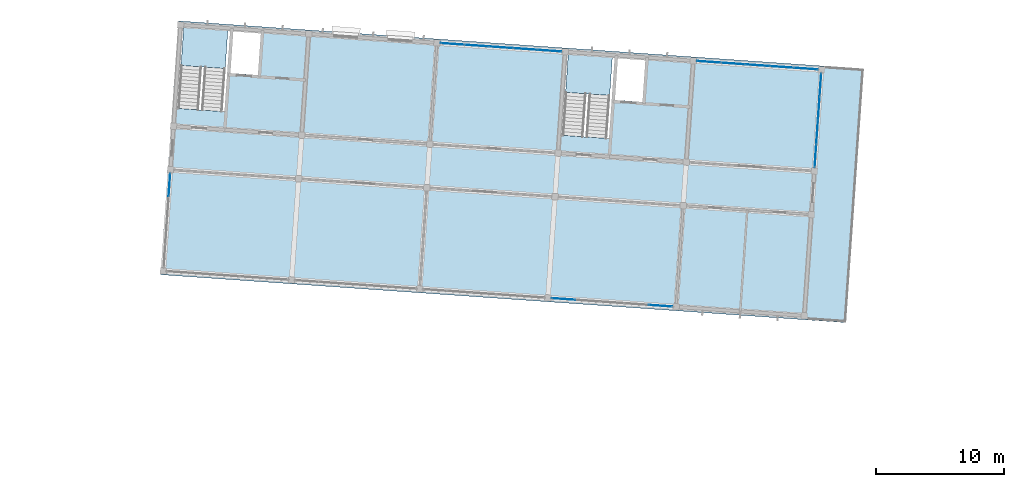
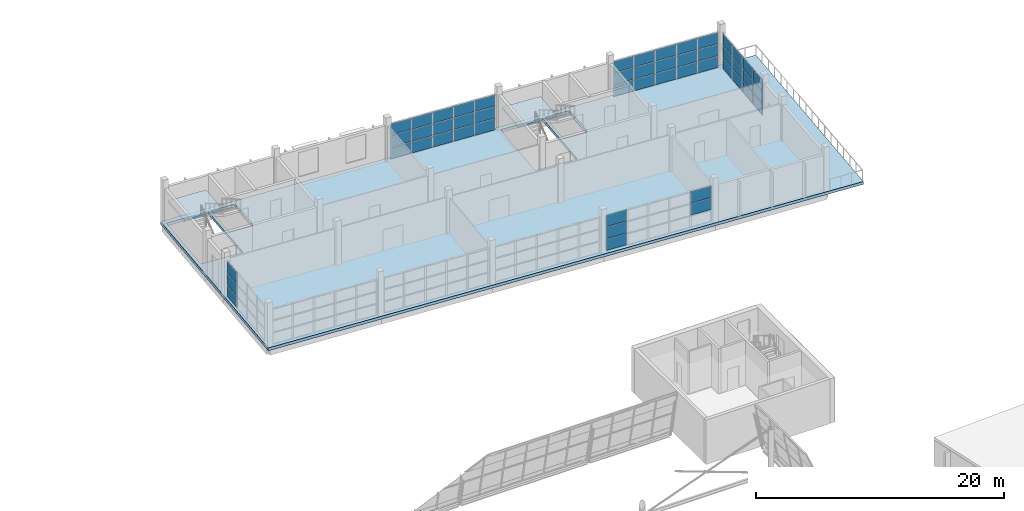
# One storey, part 28 of 50: 50 plates, 3 slabs, 7 elements without a shape of their own.
"""IFC4 building model written with IfcOpenShell, lengths in metres."""

from ifc_helpers import new_model, si_unit, direction, frame, origin, origin_2d, place, context, subcontext, project, spatial, polyline, rectangle, outline, extrude, material, layer, layer_set, type_object, element, aggregate, save


model = new_model("IFC4")

# Units and contexts
model_context = context("Model", 3, precision=1e-05, world=origin(), true_north=direction((0.0, 1.0)))
body_context = subcontext(model_context, "Body", "Model", "MODEL_VIEW")
ifc_project = project(units=[si_unit("LENGTHUNIT", "METRE"), si_unit("AREAUNIT", "SQUARE_METRE"), si_unit("VOLUMEUNIT", "CUBIC_METRE"), si_unit("PLANEANGLEUNIT", "RADIAN"), si_unit("MASSUNIT", "GRAM", prefix="KILO")], contexts=[model_context])

# Site, building, storey
site_placement = place(None, origin())
site = spatial("IfcSite", under=ifc_project, at=site_placement, CompositionType="ELEMENT")
building_placement = place(site_placement, origin())
building = spatial("IfcBuilding", under=site, at=building_placement, Name="Windward Yard Aquatics Centre", CompositionType="ELEMENT")
storey_placement = place(building_placement, frame((0.0, 0.0, 18.199951171875)))
storey = spatial("IfcBuildingStorey", under=building, at=storey_placement, Name="L04", CompositionType="ELEMENT", Elevation=18.199951171875)

# Curtain wall, plates
ifc_material_1 = material(Name="Aluminium curtain wall system", Category="aluminium")
curtain_wall_type = type_object("IfcCurtainWallType", Name="W curtain wall 1900", PredefinedType="NOTDEFINED", material=ifc_material_1)
curtain_wall_1_placement = place(storey_placement, origin())
curtain_wall_1 = element("IfcCurtainWall", 1, at=curtain_wall_1_placement, inside=storey, type_object=curtain_wall_type, Name="Wing south glazing L04 4", PredefinedType="NOTDEFINED")
ifc_material_2 = material(Name="Double glazed unit")
ifc_layer_1 = layer(ifc_material_2, 0.028076171875)
ifc_layer_set_1 = layer_set([ifc_layer_1], Name="W CW panel IGU 28")
plate_type = type_object("IfcPlateType", Name="W CW panel IGU 28", PredefinedType="CURTAIN_PANEL", material=ifc_layer_set_1)
plate_1_placement = place(storey_placement, frame((148.977783203125, 113.989990234375, 0.06005859375), z_axis=(0.0, 0.0, 1.0), x_axis=(0.997563921423, -0.06975831617, 0.0)))
plate_1 = element("IfcPlate", 2, at=plate_1_placement, type_object=plate_type, Name="WCW1 panel 1.1", PredefinedType="CURTAIN_PANEL", context=body_context, shape_type="SweptSolid", body=[
    extrude(rectangle(XDim=1.81005859375, YDim=0.028076171875, at=origin_2d()), origin(), (0.0, 0.0, 1.0), 1.10009765625),
])
plate_2_placement = place(storey_placement, frame((148.977783203125, 113.989990234375, 1.22021484375), z_axis=(0.0, 0.0, 1.0), x_axis=(0.997563921423, -0.06975831617, 0.0)))
plate_2 = element("IfcPlate", 3, at=plate_2_placement, type_object=plate_type, Name="WCW1 panel 1.2", PredefinedType="CURTAIN_PANEL", context=body_context, shape_type="SweptSolid", body=[
    extrude(rectangle(XDim=1.81005859375, YDim=0.028076171875, at=origin_2d()), origin(), (0.0, 0.0, 1.0), 1.1298828125),
])
plate_3_placement = place(storey_placement, frame((148.977783203125, 113.989990234375, 2.409912109375), z_axis=(0.0, 0.0, 1.0), x_axis=(0.997563921423, -0.06975831617, 0.0)))
plate_3 = element("IfcPlate", 4, at=plate_3_placement, type_object=plate_type, Name="WCW1 panel 1.3", PredefinedType="CURTAIN_PANEL", context=body_context, shape_type="SweptSolid", body=[
    extrude(rectangle(XDim=1.81005859375, YDim=0.028076171875, at=origin_2d()), origin(), (0.0, 0.0, 1.0), 1.10009765625),
])
plate_4_placement = place(storey_placement, frame((156.529296875, 113.4619140625, 1.22021484375), z_axis=(0.0, 0.0, 1.0), x_axis=(0.997563921423, -0.06975831617, 0.0)))
plate_4 = element("IfcPlate", 5, at=plate_4_placement, type_object=plate_type, Name="WCW1 panel 5.2", PredefinedType="CURTAIN_PANEL", context=body_context, shape_type="SweptSolid", body=[
    extrude(rectangle(XDim=1.81005859375, YDim=0.028076171875, at=origin_2d()), origin(), (0.0, 0.0, 1.0), 1.1298828125),
])
plate_5_placement = place(storey_placement, frame((156.529296875, 113.4619140625, 2.409912109375), z_axis=(0.0, 0.0, 1.0), x_axis=(0.997563921423, -0.06975831617, 0.0)))
plate_5 = element("IfcPlate", 6, at=plate_5_placement, type_object=plate_type, Name="WCW1 panel 5.3", PredefinedType="CURTAIN_PANEL", context=body_context, shape_type="SweptSolid", body=[
    extrude(rectangle(XDim=1.81005859375, YDim=0.028076171875, at=origin_2d()), origin(), (0.0, 0.0, 1.0), 1.10009765625),
])
aggregate(curtain_wall_1, [plate_1, plate_2, plate_3, plate_4, plate_5])

curtain_wall_2_placement = place(storey_placement, origin())
curtain_wall_2 = element("IfcCurtainWall", 7, at=curtain_wall_2_placement, inside=storey, type_object=curtain_wall_type, Name="Wing north glazing L04 1", PredefinedType="NOTDEFINED")
plate_6_placement = place(storey_placement, frame((140.341552734375, 133.8408203125, 0.06005859375), z_axis=(0.0, 0.0, 1.0), x_axis=(0.997563921423, -0.06975831617, 0.0)))
plate_6 = element("IfcPlate", 8, at=plate_6_placement, type_object=plate_type, Name="WCW1 panel 1.1", PredefinedType="CURTAIN_PANEL", context=body_context, shape_type="SweptSolid", body=[
    extrude(rectangle(XDim=1.81005859375, YDim=0.028076171875, at=origin_2d()), origin(), (0.0, 0.0, 1.0), 1.10009765625),
])
plate_7_placement = place(storey_placement, frame((140.341552734375, 133.8408203125, 1.22021484375), z_axis=(0.0, 0.0, 1.0), x_axis=(0.997563921423, -0.06975831617, 0.0)))
plate_7 = element("IfcPlate", 9, at=plate_7_placement, type_object=plate_type, Name="WCW1 panel 1.2", PredefinedType="CURTAIN_PANEL", context=body_context, shape_type="SweptSolid", body=[
    extrude(rectangle(XDim=1.81005859375, YDim=0.028076171875, at=origin_2d()), origin(), (0.0, 0.0, 1.0), 1.1298828125),
])
plate_8_placement = place(storey_placement, frame((140.341552734375, 133.8408203125, 2.409912109375), z_axis=(0.0, 0.0, 1.0), x_axis=(0.997563921423, -0.06975831617, 0.0)))
plate_8 = element("IfcPlate", 10, at=plate_8_placement, type_object=plate_type, Name="WCW1 panel 1.3", PredefinedType="CURTAIN_PANEL", context=body_context, shape_type="SweptSolid", body=[
    extrude(rectangle(XDim=1.81005859375, YDim=0.028076171875, at=origin_2d()), origin(), (0.0, 0.0, 1.0), 1.10009765625),
])
plate_9_placement = place(storey_placement, frame((142.221923828125, 133.70947265625, 0.06005859375), z_axis=(0.0, 0.0, 1.0), x_axis=(0.997563921423, -0.06975831617, 0.0)))
plate_9 = element("IfcPlate", 11, at=plate_9_placement, type_object=plate_type, Name="WCW1 panel 2.1", PredefinedType="CURTAIN_PANEL", context=body_context, shape_type="SweptSolid", body=[
    extrude(rectangle(XDim=1.840087890625, YDim=0.028076171875, at=origin_2d()), origin(), (0.0, 0.0, 1.0), 1.10009765625),
])
plate_10_placement = place(storey_placement, frame((142.221923828125, 133.70947265625, 1.22021484375), z_axis=(0.0, 0.0, 1.0), x_axis=(0.997563921423, -0.06975831617, 0.0)))
plate_10 = element("IfcPlate", 12, at=plate_10_placement, type_object=plate_type, Name="WCW1 panel 2.2", PredefinedType="CURTAIN_PANEL", context=body_context, shape_type="SweptSolid", body=[
    extrude(rectangle(XDim=1.840087890625, YDim=0.028076171875, at=origin_2d()), origin(), (0.0, 0.0, 1.0), 1.1298828125),
])
plate_11_placement = place(storey_placement, frame((142.221923828125, 133.70947265625, 2.409912109375), z_axis=(0.0, 0.0, 1.0), x_axis=(0.997563921423, -0.06975831617, 0.0)))
plate_11 = element("IfcPlate", 13, at=plate_11_placement, type_object=plate_type, Name="WCW1 panel 2.3", PredefinedType="CURTAIN_PANEL", context=body_context, shape_type="SweptSolid", body=[
    extrude(rectangle(XDim=1.840087890625, YDim=0.028076171875, at=origin_2d()), origin(), (0.0, 0.0, 1.0), 1.10009765625),
])
plate_12_placement = place(storey_placement, frame((144.1171875, 133.576904296875, 0.06005859375), z_axis=(0.0, 0.0, 1.0), x_axis=(0.997563921423, -0.06975831617, 0.0)))
plate_12 = element("IfcPlate", 14, at=plate_12_placement, type_object=plate_type, Name="WCW1 panel 3.1", PredefinedType="CURTAIN_PANEL", context=body_context, shape_type="SweptSolid", body=[
    extrude(rectangle(XDim=1.840087890625, YDim=0.028076171875, at=origin_2d()), origin(), (0.0, 0.0, 1.0), 1.10009765625),
])
plate_13_placement = place(storey_placement, frame((144.1171875, 133.576904296875, 1.22021484375), z_axis=(0.0, 0.0, 1.0), x_axis=(0.997563921423, -0.06975831617, 0.0)))
plate_13 = element("IfcPlate", 15, at=plate_13_placement, type_object=plate_type, Name="WCW1 panel 3.2", PredefinedType="CURTAIN_PANEL", context=body_context, shape_type="SweptSolid", body=[
    extrude(rectangle(XDim=1.840087890625, YDim=0.028076171875, at=origin_2d()), origin(), (0.0, 0.0, 1.0), 1.1298828125),
])
plate_14_placement = place(storey_placement, frame((144.1171875, 133.576904296875, 2.409912109375), z_axis=(0.0, 0.0, 1.0), x_axis=(0.997563921423, -0.06975831617, 0.0)))
plate_14 = element("IfcPlate", 16, at=plate_14_placement, type_object=plate_type, Name="WCW1 panel 3.3", PredefinedType="CURTAIN_PANEL", context=body_context, shape_type="SweptSolid", body=[
    extrude(rectangle(XDim=1.840087890625, YDim=0.028076171875, at=origin_2d()), origin(), (0.0, 0.0, 1.0), 1.10009765625),
])
plate_15_placement = place(storey_placement, frame((146.0126953125, 133.4443359375, 0.06005859375), z_axis=(0.0, 0.0, 1.0), x_axis=(0.997563921423, -0.06975831617, 0.0)))
plate_15 = element("IfcPlate", 17, at=plate_15_placement, type_object=plate_type, Name="WCW1 panel 4.1", PredefinedType="CURTAIN_PANEL", context=body_context, shape_type="SweptSolid", body=[
    extrude(rectangle(XDim=1.840087890625, YDim=0.028076171875, at=origin_2d()), origin(), (0.0, 0.0, 1.0), 1.10009765625),
])
plate_16_placement = place(storey_placement, frame((146.0126953125, 133.4443359375, 1.22021484375), z_axis=(0.0, 0.0, 1.0), x_axis=(0.997563921423, -0.06975831617, 0.0)))
plate_16 = element("IfcPlate", 18, at=plate_16_placement, type_object=plate_type, Name="WCW1 panel 4.2", PredefinedType="CURTAIN_PANEL", context=body_context, shape_type="SweptSolid", body=[
    extrude(rectangle(XDim=1.840087890625, YDim=0.028076171875, at=origin_2d()), origin(), (0.0, 0.0, 1.0), 1.1298828125),
])
plate_17_placement = place(storey_placement, frame((146.0126953125, 133.4443359375, 2.409912109375), z_axis=(0.0, 0.0, 1.0), x_axis=(0.997563921423, -0.06975831617, 0.0)))
plate_17 = element("IfcPlate", 19, at=plate_17_placement, type_object=plate_type, Name="WCW1 panel 4.3", PredefinedType="CURTAIN_PANEL", context=body_context, shape_type="SweptSolid", body=[
    extrude(rectangle(XDim=1.840087890625, YDim=0.028076171875, at=origin_2d()), origin(), (0.0, 0.0, 1.0), 1.10009765625),
])
plate_18_placement = place(storey_placement, frame((147.89306640625, 133.312744140625, 0.06005859375), z_axis=(0.0, 0.0, 1.0), x_axis=(0.997563921423, -0.06975831617, 0.0)))
plate_18 = element("IfcPlate", 20, at=plate_18_placement, type_object=plate_type, Name="WCW1 panel 5.1", PredefinedType="CURTAIN_PANEL", context=body_context, shape_type="SweptSolid", body=[
    extrude(rectangle(XDim=1.81005859375, YDim=0.028076171875, at=origin_2d()), origin(), (0.0, 0.0, 1.0), 1.10009765625),
])
plate_19_placement = place(storey_placement, frame((147.89306640625, 133.312744140625, 1.22021484375), z_axis=(0.0, 0.0, 1.0), x_axis=(0.997563921423, -0.06975831617, 0.0)))
plate_19 = element("IfcPlate", 21, at=plate_19_placement, type_object=plate_type, Name="WCW1 panel 5.2", PredefinedType="CURTAIN_PANEL", context=body_context, shape_type="SweptSolid", body=[
    extrude(rectangle(XDim=1.81005859375, YDim=0.028076171875, at=origin_2d()), origin(), (0.0, 0.0, 1.0), 1.1298828125),
])
plate_20_placement = place(storey_placement, frame((147.89306640625, 133.312744140625, 2.409912109375), z_axis=(0.0, 0.0, 1.0), x_axis=(0.997563921423, -0.06975831617, 0.0)))
plate_20 = element("IfcPlate", 22, at=plate_20_placement, type_object=plate_type, Name="WCW1 panel 5.3", PredefinedType="CURTAIN_PANEL", context=body_context, shape_type="SweptSolid", body=[
    extrude(rectangle(XDim=1.81005859375, YDim=0.028076171875, at=origin_2d()), origin(), (0.0, 0.0, 1.0), 1.10009765625),
])
aggregate(curtain_wall_2, [plate_6, plate_7, plate_8, plate_9, plate_10, plate_11, plate_12, plate_13, plate_14, plate_15, plate_16, plate_17, plate_18, plate_19, plate_20])

curtain_wall_3_placement = place(storey_placement, origin())
curtain_wall_3 = element("IfcCurtainWall", 23, at=curtain_wall_3_placement, inside=storey, type_object=curtain_wall_type, Name="Wing north glazing L04 2", PredefinedType="NOTDEFINED")
plate_21_placement = place(storey_placement, frame((160.292724609375, 132.44580078125, 0.06005859375), z_axis=(0.0, 0.0, 1.0), x_axis=(0.997563972646, -0.069757583664, 0.0)))
plate_21 = element("IfcPlate", 24, at=plate_21_placement, type_object=plate_type, Name="WCW1 panel 1.1", PredefinedType="CURTAIN_PANEL", context=body_context, shape_type="SweptSolid", body=[
    extrude(rectangle(XDim=1.81005859375, YDim=0.028076171875, at=origin_2d()), origin(), (0.0, 0.0, 1.0), 1.10009765625),
])
plate_22_placement = place(storey_placement, frame((160.292724609375, 132.44580078125, 1.22021484375), z_axis=(0.0, 0.0, 1.0), x_axis=(0.997563972646, -0.069757583664, 0.0)))
plate_22 = element("IfcPlate", 25, at=plate_22_placement, type_object=plate_type, Name="WCW1 panel 1.2", PredefinedType="CURTAIN_PANEL", context=body_context, shape_type="SweptSolid", body=[
    extrude(rectangle(XDim=1.81005859375, YDim=0.028076171875, at=origin_2d()), origin(), (0.0, 0.0, 1.0), 1.1298828125),
])
plate_23_placement = place(storey_placement, frame((160.292724609375, 132.44580078125, 2.409912109375), z_axis=(0.0, 0.0, 1.0), x_axis=(0.997563972646, -0.069757583664, 0.0)))
plate_23 = element("IfcPlate", 26, at=plate_23_placement, type_object=plate_type, Name="WCW1 panel 1.3", PredefinedType="CURTAIN_PANEL", context=body_context, shape_type="SweptSolid", body=[
    extrude(rectangle(XDim=1.81005859375, YDim=0.028076171875, at=origin_2d()), origin(), (0.0, 0.0, 1.0), 1.10009765625),
])
plate_24_placement = place(storey_placement, frame((162.173095703125, 132.314208984375, 0.06005859375), z_axis=(0.0, 0.0, 1.0), x_axis=(0.997563972646, -0.069757583664, 0.0)))
plate_24 = element("IfcPlate", 27, at=plate_24_placement, type_object=plate_type, Name="WCW1 panel 2.1", PredefinedType="CURTAIN_PANEL", context=body_context, shape_type="SweptSolid", body=[
    extrude(rectangle(XDim=1.840087890625, YDim=0.028076171875, at=origin_2d()), origin(), (0.0, 0.0, 1.0), 1.10009765625),
])
plate_25_placement = place(storey_placement, frame((162.173095703125, 132.314208984375, 1.22021484375), z_axis=(0.0, 0.0, 1.0), x_axis=(0.997563972646, -0.069757583664, 0.0)))
plate_25 = element("IfcPlate", 28, at=plate_25_placement, type_object=plate_type, Name="WCW1 panel 2.2", PredefinedType="CURTAIN_PANEL", context=body_context, shape_type="SweptSolid", body=[
    extrude(rectangle(XDim=1.840087890625, YDim=0.028076171875, at=origin_2d()), origin(), (0.0, 0.0, 1.0), 1.1298828125),
])
plate_26_placement = place(storey_placement, frame((162.173095703125, 132.314208984375, 2.409912109375), z_axis=(0.0, 0.0, 1.0), x_axis=(0.997563972646, -0.069757583664, 0.0)))
plate_26 = element("IfcPlate", 29, at=plate_26_placement, type_object=plate_type, Name="WCW1 panel 2.3", PredefinedType="CURTAIN_PANEL", context=body_context, shape_type="SweptSolid", body=[
    extrude(rectangle(XDim=1.840087890625, YDim=0.028076171875, at=origin_2d()), origin(), (0.0, 0.0, 1.0), 1.10009765625),
])
plate_27_placement = place(storey_placement, frame((164.068603515625, 132.181640625, 0.06005859375), z_axis=(0.0, 0.0, 1.0), x_axis=(0.997563972646, -0.069757583664, 0.0)))
plate_27 = element("IfcPlate", 30, at=plate_27_placement, type_object=plate_type, Name="WCW1 panel 3.1", PredefinedType="CURTAIN_PANEL", context=body_context, shape_type="SweptSolid", body=[
    extrude(rectangle(XDim=1.840087890625, YDim=0.028076171875, at=origin_2d()), origin(), (0.0, 0.0, 1.0), 1.10009765625),
])
plate_28_placement = place(storey_placement, frame((164.068603515625, 132.181640625, 1.22021484375), z_axis=(0.0, 0.0, 1.0), x_axis=(0.997563972646, -0.069757583664, 0.0)))
plate_28 = element("IfcPlate", 31, at=plate_28_placement, type_object=plate_type, Name="WCW1 panel 3.2", PredefinedType="CURTAIN_PANEL", context=body_context, shape_type="SweptSolid", body=[
    extrude(rectangle(XDim=1.840087890625, YDim=0.028076171875, at=origin_2d()), origin(), (0.0, 0.0, 1.0), 1.1298828125),
])
plate_29_placement = place(storey_placement, frame((164.068603515625, 132.181640625, 2.409912109375), z_axis=(0.0, 0.0, 1.0), x_axis=(0.997563972646, -0.069757583664, 0.0)))
plate_29 = element("IfcPlate", 32, at=plate_29_placement, type_object=plate_type, Name="WCW1 panel 3.3", PredefinedType="CURTAIN_PANEL", context=body_context, shape_type="SweptSolid", body=[
    extrude(rectangle(XDim=1.840087890625, YDim=0.028076171875, at=origin_2d()), origin(), (0.0, 0.0, 1.0), 1.10009765625),
])
plate_30_placement = place(storey_placement, frame((165.9638671875, 132.04931640625, 0.06005859375), z_axis=(0.0, 0.0, 1.0), x_axis=(0.997563972646, -0.069757583664, 0.0)))
plate_30 = element("IfcPlate", 33, at=plate_30_placement, type_object=plate_type, Name="WCW1 panel 4.1", PredefinedType="CURTAIN_PANEL", context=body_context, shape_type="SweptSolid", body=[
    extrude(rectangle(XDim=1.840087890625, YDim=0.028076171875, at=origin_2d()), origin(), (0.0, 0.0, 1.0), 1.10009765625),
])
plate_31_placement = place(storey_placement, frame((165.9638671875, 132.04931640625, 1.22021484375), z_axis=(0.0, 0.0, 1.0), x_axis=(0.997563972646, -0.069757583664, 0.0)))
plate_31 = element("IfcPlate", 34, at=plate_31_placement, type_object=plate_type, Name="WCW1 panel 4.2", PredefinedType="CURTAIN_PANEL", context=body_context, shape_type="SweptSolid", body=[
    extrude(rectangle(XDim=1.840087890625, YDim=0.028076171875, at=origin_2d()), origin(), (0.0, 0.0, 1.0), 1.1298828125),
])
plate_32_placement = place(storey_placement, frame((165.9638671875, 132.04931640625, 2.409912109375), z_axis=(0.0, 0.0, 1.0), x_axis=(0.997563972646, -0.069757583664, 0.0)))
plate_32 = element("IfcPlate", 35, at=plate_32_placement, type_object=plate_type, Name="WCW1 panel 4.3", PredefinedType="CURTAIN_PANEL", context=body_context, shape_type="SweptSolid", body=[
    extrude(rectangle(XDim=1.840087890625, YDim=0.028076171875, at=origin_2d()), origin(), (0.0, 0.0, 1.0), 1.10009765625),
])
plate_33_placement = place(storey_placement, frame((167.84423828125, 131.917724609375, 0.06005859375), z_axis=(0.0, 0.0, 1.0), x_axis=(0.997563972646, -0.069757583664, 0.0)))
plate_33 = element("IfcPlate", 36, at=plate_33_placement, type_object=plate_type, Name="WCW1 panel 5.1", PredefinedType="CURTAIN_PANEL", context=body_context, shape_type="SweptSolid", body=[
    extrude(rectangle(XDim=1.81005859375, YDim=0.028076171875, at=origin_2d()), origin(), (0.0, 0.0, 1.0), 1.10009765625),
])
plate_34_placement = place(storey_placement, frame((167.84423828125, 131.917724609375, 1.22021484375), z_axis=(0.0, 0.0, 1.0), x_axis=(0.997563972646, -0.069757583664, 0.0)))
plate_34 = element("IfcPlate", 37, at=plate_34_placement, type_object=plate_type, Name="WCW1 panel 5.2", PredefinedType="CURTAIN_PANEL", context=body_context, shape_type="SweptSolid", body=[
    extrude(rectangle(XDim=1.81005859375, YDim=0.028076171875, at=origin_2d()), origin(), (0.0, 0.0, 1.0), 1.1298828125),
])
plate_35_placement = place(storey_placement, frame((167.84423828125, 131.917724609375, 2.409912109375), z_axis=(0.0, 0.0, 1.0), x_axis=(0.997563972646, -0.069757583664, 0.0)))
plate_35 = element("IfcPlate", 38, at=plate_35_placement, type_object=plate_type, Name="WCW1 panel 5.3", PredefinedType="CURTAIN_PANEL", context=body_context, shape_type="SweptSolid", body=[
    extrude(rectangle(XDim=1.81005859375, YDim=0.028076171875, at=origin_2d()), origin(), (0.0, 0.0, 1.0), 1.10009765625),
])
aggregate(curtain_wall_3, [plate_21, plate_22, plate_23, plate_24, plate_25, plate_26, plate_27, plate_28, plate_29, plate_30, plate_31, plate_32, plate_33, plate_34, plate_35])

curtain_wall_4_placement = place(storey_placement, origin())
curtain_wall_4 = element("IfcCurtainWall", 39, at=curtain_wall_4_placement, inside=storey, type_object=curtain_wall_type, Name="Wing west glazing L04 1", PredefinedType="NOTDEFINED")
plate_36_placement = place(storey_placement, frame((118.306884765625, 122.861083984375, 0.06005859375), z_axis=(0.0, 0.0, 1.0), x_axis=(0.06975651062, 0.997564047681, 0.0)))
plate_36 = element("IfcPlate", 40, at=plate_36_placement, type_object=plate_type, Name="WCW1 panel 4.1", PredefinedType="CURTAIN_PANEL", context=body_context, shape_type="SweptSolid", body=[
    extrude(rectangle(XDim=1.760009765625, YDim=0.028076171875, at=origin_2d()), origin(), (0.0, 0.0, 1.0), 1.10009765625),
])
plate_37_placement = place(storey_placement, frame((118.306884765625, 122.861083984375, 1.22021484375), z_axis=(0.0, 0.0, 1.0), x_axis=(0.06975651062, 0.997564047681, 0.0)))
plate_37 = element("IfcPlate", 41, at=plate_37_placement, type_object=plate_type, Name="WCW1 panel 4.2", PredefinedType="CURTAIN_PANEL", context=body_context, shape_type="SweptSolid", body=[
    extrude(rectangle(XDim=1.760009765625, YDim=0.028076171875, at=origin_2d()), origin(), (0.0, 0.0, 1.0), 1.1298828125),
])
plate_38_placement = place(storey_placement, frame((118.306884765625, 122.861083984375, 2.409912109375), z_axis=(0.0, 0.0, 1.0), x_axis=(0.06975651062, 0.997564047681, 0.0)))
plate_38 = element("IfcPlate", 42, at=plate_38_placement, type_object=plate_type, Name="WCW1 panel 4.3", PredefinedType="CURTAIN_PANEL", context=body_context, shape_type="SweptSolid", body=[
    extrude(rectangle(XDim=1.760009765625, YDim=0.028076171875, at=origin_2d()), origin(), (0.0, 0.0, 1.0), 1.10009765625),
])
aggregate(curtain_wall_4, [plate_36, plate_37, plate_38])

curtain_wall_5_placement = place(storey_placement, origin())
curtain_wall_5 = element("IfcCurtainWall", 43, at=curtain_wall_5_placement, inside=storey, type_object=curtain_wall_type, Name="Wing east glazing L04 1", PredefinedType="NOTDEFINED")
plate_39_placement = place(storey_placement, frame((168.58837890625, 125.139404296875, 0.06005859375), z_axis=(0.0, 0.0, 1.0), x_axis=(0.069757450994, 0.997563981923, 0.0)))
plate_39 = element("IfcPlate", 44, at=plate_39_placement, type_object=plate_type, Name="WCW1 panel 1.1", PredefinedType="CURTAIN_PANEL", context=body_context, shape_type="SweptSolid", body=[
    extrude(rectangle(XDim=1.760009765625, YDim=0.028076171875, at=origin_2d()), origin(), (0.0, 0.0, 1.0), 1.10009765625),
])
plate_40_placement = place(storey_placement, frame((168.58837890625, 125.139404296875, 1.22021484375), z_axis=(0.0, 0.0, 1.0), x_axis=(0.069757450994, 0.997563981923, 0.0)))
plate_40 = element("IfcPlate", 45, at=plate_40_placement, type_object=plate_type, Name="WCW1 panel 1.2", PredefinedType="CURTAIN_PANEL", context=body_context, shape_type="SweptSolid", body=[
    extrude(rectangle(XDim=1.760009765625, YDim=0.028076171875, at=origin_2d()), origin(), (0.0, 0.0, 1.0), 1.1298828125),
])
plate_41_placement = place(storey_placement, frame((168.58837890625, 125.139404296875, 2.409912109375), z_axis=(0.0, 0.0, 1.0), x_axis=(0.069757450994, 0.997563981923, 0.0)))
plate_41 = element("IfcPlate", 46, at=plate_41_placement, type_object=plate_type, Name="WCW1 panel 1.3", PredefinedType="CURTAIN_PANEL", context=body_context, shape_type="SweptSolid", body=[
    extrude(rectangle(XDim=1.760009765625, YDim=0.028076171875, at=origin_2d()), origin(), (0.0, 0.0, 1.0), 1.10009765625),
])
plate_42_placement = place(storey_placement, frame((168.71630859375, 126.9697265625, 0.06005859375), z_axis=(0.0, 0.0, 1.0), x_axis=(0.069757450994, 0.997563981923, 0.0)))
plate_42 = element("IfcPlate", 47, at=plate_42_placement, type_object=plate_type, Name="WCW1 panel 2.1", PredefinedType="CURTAIN_PANEL", context=body_context, shape_type="SweptSolid", body=[
    extrude(rectangle(XDim=1.7900390625, YDim=0.028076171875, at=origin_2d()), origin(), (0.0, 0.0, 1.0), 1.10009765625),
])
plate_43_placement = place(storey_placement, frame((168.71630859375, 126.9697265625, 1.22021484375), z_axis=(0.0, 0.0, 1.0), x_axis=(0.069757450994, 0.997563981923, 0.0)))
plate_43 = element("IfcPlate", 48, at=plate_43_placement, type_object=plate_type, Name="WCW1 panel 2.2", PredefinedType="CURTAIN_PANEL", context=body_context, shape_type="SweptSolid", body=[
    extrude(rectangle(XDim=1.7900390625, YDim=0.028076171875, at=origin_2d()), origin(), (0.0, 0.0, 1.0), 1.1298828125),
])
plate_44_placement = place(storey_placement, frame((168.71630859375, 126.9697265625, 2.409912109375), z_axis=(0.0, 0.0, 1.0), x_axis=(0.069757450994, 0.997563981923, 0.0)))
plate_44 = element("IfcPlate", 49, at=plate_44_placement, type_object=plate_type, Name="WCW1 panel 2.3", PredefinedType="CURTAIN_PANEL", context=body_context, shape_type="SweptSolid", body=[
    extrude(rectangle(XDim=1.7900390625, YDim=0.028076171875, at=origin_2d()), origin(), (0.0, 0.0, 1.0), 1.10009765625),
])
plate_45_placement = place(storey_placement, frame((168.845458984375, 128.815185546875, 0.06005859375), z_axis=(0.0, 0.0, 1.0), x_axis=(0.069757450994, 0.997563981923, 0.0)))
plate_45 = element("IfcPlate", 50, at=plate_45_placement, type_object=plate_type, Name="WCW1 panel 3.1", PredefinedType="CURTAIN_PANEL", context=body_context, shape_type="SweptSolid", body=[
    extrude(rectangle(XDim=1.7900390625, YDim=0.028076171875, at=origin_2d()), origin(), (0.0, 0.0, 1.0), 1.10009765625),
])
plate_46_placement = place(storey_placement, frame((168.845458984375, 128.815185546875, 1.22021484375), z_axis=(0.0, 0.0, 1.0), x_axis=(0.069757450994, 0.997563981923, 0.0)))
plate_46 = element("IfcPlate", 51, at=plate_46_placement, type_object=plate_type, Name="WCW1 panel 3.2", PredefinedType="CURTAIN_PANEL", context=body_context, shape_type="SweptSolid", body=[
    extrude(rectangle(XDim=1.7900390625, YDim=0.028076171875, at=origin_2d()), origin(), (0.0, 0.0, 1.0), 1.1298828125),
])
plate_47_placement = place(storey_placement, frame((168.845458984375, 128.815185546875, 2.409912109375), z_axis=(0.0, 0.0, 1.0), x_axis=(0.069757450994, 0.997563981923, 0.0)))
plate_47 = element("IfcPlate", 52, at=plate_47_placement, type_object=plate_type, Name="WCW1 panel 3.3", PredefinedType="CURTAIN_PANEL", context=body_context, shape_type="SweptSolid", body=[
    extrude(rectangle(XDim=1.7900390625, YDim=0.028076171875, at=origin_2d()), origin(), (0.0, 0.0, 1.0), 1.10009765625),
])
plate_48_placement = place(storey_placement, frame((168.973388671875, 130.645751953125, 0.06005859375), z_axis=(0.0, 0.0, 1.0), x_axis=(0.069757450994, 0.997563981923, 0.0)))
plate_48 = element("IfcPlate", 53, at=plate_48_placement, type_object=plate_type, Name="WCW1 panel 4.1", PredefinedType="CURTAIN_PANEL", context=body_context, shape_type="SweptSolid", body=[
    extrude(rectangle(XDim=1.760009765625, YDim=0.028076171875, at=origin_2d()), origin(), (0.0, 0.0, 1.0), 1.10009765625),
])
plate_49_placement = place(storey_placement, frame((168.973388671875, 130.645751953125, 1.22021484375), z_axis=(0.0, 0.0, 1.0), x_axis=(0.069757450994, 0.997563981923, 0.0)))
plate_49 = element("IfcPlate", 54, at=plate_49_placement, type_object=plate_type, Name="WCW1 panel 4.2", PredefinedType="CURTAIN_PANEL", context=body_context, shape_type="SweptSolid", body=[
    extrude(rectangle(XDim=1.760009765625, YDim=0.028076171875, at=origin_2d()), origin(), (0.0, 0.0, 1.0), 1.1298828125),
])
plate_50_placement = place(storey_placement, frame((168.973388671875, 130.645751953125, 2.409912109375), z_axis=(0.0, 0.0, 1.0), x_axis=(0.069757450994, 0.997563981923, 0.0)))
plate_50 = element("IfcPlate", 55, at=plate_50_placement, type_object=plate_type, Name="WCW1 panel 4.3", PredefinedType="CURTAIN_PANEL", context=body_context, shape_type="SweptSolid", body=[
    extrude(rectangle(XDim=1.760009765625, YDim=0.028076171875, at=origin_2d()), origin(), (0.0, 0.0, 1.0), 1.10009765625),
])
aggregate(curtain_wall_5, [plate_39, plate_40, plate_41, plate_42, plate_43, plate_44, plate_45, plate_46, plate_47, plate_48, plate_49, plate_50])

# Slab
ifc_material_3 = material(Name="Concrete C35/45", Category="concrete")
ifc_layer_2 = layer(ifc_material_3, 0.280029296875)
ifc_layer_set_2 = layer_set([ifc_layer_2], Name="W floor slab 280 Concrete C35/45")
slab_type_1 = type_object("IfcSlabType", Name="W floor slab 280 Concrete C35/45", PredefinedType="FLOOR", material=ifc_layer_set_2)
slab_1_placement = place(storey_placement, frame((0.0, 0.0, -0.280029296875)))
element("IfcSlab", 56, at=slab_1_placement, inside=storey, type_object=slab_type_1, Name="W.SLAB.L04", PredefinedType="FLOOR", context=body_context, shape_type="SweptSolid", body=[
    extrude(outline(polyline([(117.618408203125, 115.882080078125), (170.938232421875, 112.15380859375), (172.3193359375, 131.905517578125), (118.99951171875, 135.634033203125), (117.618408203125, 115.882080078125)]), holes=[polyline([(118.85009765625, 128.837890625), (122.591064453125, 128.576416015625), (123.034912109375, 134.92578125), (119.294189453125, 135.187255859375), (118.85009765625, 128.837890625)]), polyline([(123.05078125, 131.56640625), (125.195556640625, 131.41650390625), (125.42919921875, 134.75830078125), (123.284423828125, 134.908203125), (123.05078125, 131.56640625)]), polyline([(148.777099609375, 126.7451171875), (152.51806640625, 126.483642578125), (152.9619140625, 132.8330078125), (149.22119140625, 133.0947265625), (148.777099609375, 126.7451171875)]), polyline([(152.977783203125, 129.473876953125), (155.122314453125, 129.32373046875), (155.356201171875, 132.665771484375), (153.211181640625, 132.815673828125), (152.977783203125, 129.473876953125)])]), origin(), (0.0, 0.0, 1.0), 0.280029296875),
])

# Stair, slab
stair_type = type_object("IfcStairType", Name="W exit stair 1600", PredefinedType="HALF_TURN_STAIR", material=ifc_material_3)
stair_1_placement = place(storey_placement, origin())
stair_1 = element("IfcStair", 57, at=stair_1_placement, inside=storey, type_object=stair_type, Name="W.ST.W.L04", PredefinedType="HALF_TURN_STAIR")
ifc_layer_3 = layer(ifc_material_3, 0.199951171875)
ifc_layer_set_3 = layer_set([ifc_layer_3], Name="W stair landing 200 Concrete C35/45")
slab_type_2 = type_object("IfcSlabType", Name="W stair landing 200 Concrete C35/45", PredefinedType="LANDING", material=ifc_layer_set_3)
slab_2_placement = place(storey_placement, frame((0.0, 0.0, 2.0)))
slab_2 = element("IfcSlab", 58, at=slab_2_placement, type_object=slab_type_2, Name="ST-W landing 1", PredefinedType="LANDING", context=body_context, shape_type="SweptSolid", body=[
    extrude(outline(polyline([(119.207763671875, 132.160888671875), (122.6494140625, 131.92041015625), (122.860595703125, 134.93798828125), (119.4189453125, 135.1787109375), (119.207763671875, 132.160888671875)])), origin(), (0.0, 0.0, 1.0), 0.199951171875),
])
aggregate(stair_1, [slab_2])

stair_2_placement = place(storey_placement, origin())
stair_2 = element("IfcStair", 59, at=stair_2_placement, inside=storey, type_object=stair_type, Name="W.ST.E.L04", PredefinedType="HALF_TURN_STAIR")
slab_3_placement = place(storey_placement, frame((0.0, 0.0, 2.0)))
slab_3 = element("IfcSlab", 60, at=slab_3_placement, type_object=slab_type_2, Name="ST-E landing 1", PredefinedType="LANDING", context=body_context, shape_type="SweptSolid", body=[
    extrude(outline(polyline([(149.134765625, 130.068359375), (152.576416015625, 129.82763671875), (152.787353515625, 132.84521484375), (149.345703125, 133.0859375), (149.134765625, 130.068359375)])), origin(), (0.0, 0.0, 1.0), 0.199951171875),
])
aggregate(stair_2, [slab_3])

save(model, "model.ifc")
